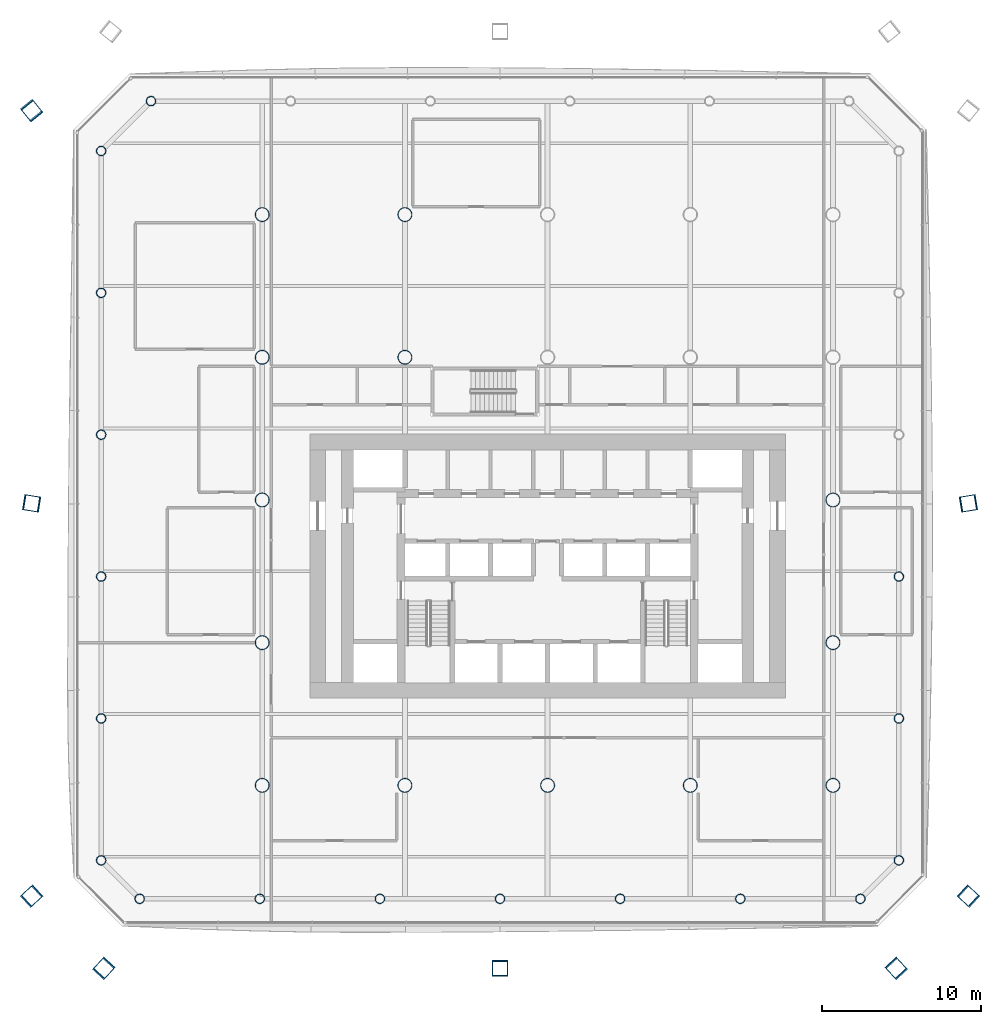
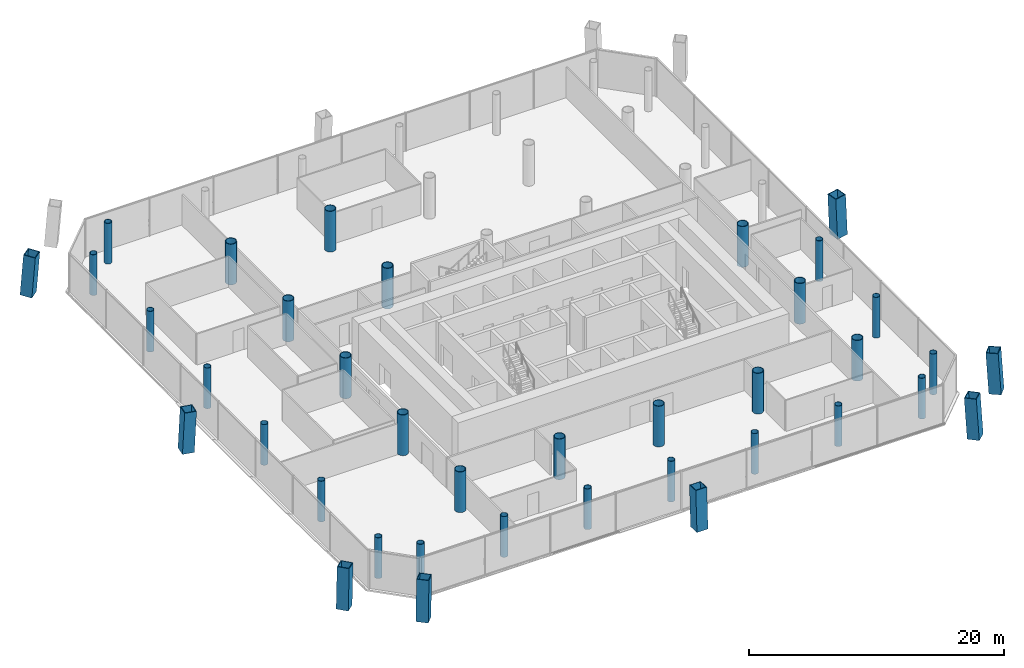
# One storey, part 1 of 21: 38 columns.
"""IFC4 building model written with IfcOpenShell, lengths in metres."""

from ifc_helpers import new_model, si_unit, direction, frame, origin, origin_2d, place, context, subcontext, project, spatial, hollow_rectangle, hollow_circle, extrude, material, material_profile, profile_set, type_object, element, save


model = new_model("IFC4")

# Units and contexts
model_context = context("Model", 3, precision=1e-05, world=origin(), true_north=direction((0.0, 1.0)))
body_context = subcontext(model_context, "Body", "Model", "MODEL_VIEW")
ifc_project = project(units=[si_unit("LENGTHUNIT", "METRE"), si_unit("AREAUNIT", "SQUARE_METRE"), si_unit("VOLUMEUNIT", "CUBIC_METRE"), si_unit("PLANEANGLEUNIT", "RADIAN"), si_unit("MASSUNIT", "GRAM", prefix="KILO")], contexts=[model_context])

# Site, building, storey
site_placement = place(None, origin())
site = spatial("IfcSite", under=ifc_project, at=site_placement, CompositionType="ELEMENT")
building_placement = place(site_placement, origin())
building = spatial("IfcBuilding", under=site, at=building_placement, Name="Tskaro Facet Tower", CompositionType="ELEMENT")
storey_placement = place(building_placement, frame((0.0, 0.0, 38.10009765625)))
storey = spatial("IfcBuildingStorey", under=building, at=storey_placement, Name="L08", CompositionType="ELEMENT", Elevation=38.10009765625)

# Columns
ifc_material_1 = material(Name="Steel S460M", Category="steel")
ifc_material_profile_1 = material_profile(ifc_material_1, hollow_rectangle(XDim=1.0, YDim=1.0, WallThickness=0.06005859375, at=origin_2d()), Name="BOX 1000x1000x60")
ifc_profile_set_1 = profile_set([ifc_material_profile_1], Name="Steel S460M")
column_type_1 = type_object("IfcColumnType", Name="BOX 1000x1000x60 mega column", PredefinedType="COLUMN", material=ifc_profile_set_1)
column_1_placement = place(storey_placement, frame((-28.013916015625, -29.572021484375, 0.0), z_axis=(0.042733391289, 0.046856788695, 0.997987123475), x_axis=(-0.738869281565, 0.673848784787, 0.0)))
element("IfcColumn", 1, at=column_1_placement, inside=storey, type_object=column_type_1, Name="BOX 1000x1000x60 MC01/1", PredefinedType="COLUMN", context=body_context, shape_type="SweptSolid", body=[
    extrude(hollow_rectangle(XDim=1.0, YDim=1.0, WallThickness=0.06005859375, at=origin_2d()), origin(), (0.0, 0.0, 1.0), 3.90771484375),
])
column_2_placement = place(storey_placement, frame((-3.0, -29.572021484375, 0.0), z_axis=(0.0, 0.046899630973, 0.998899606875), x_axis=(-1.0, 0.0, 0.0)))
element("IfcColumn", 2, at=column_2_placement, inside=storey, type_object=column_type_1, Name="BOX 1000x1000x60 MC02/1", PredefinedType="COLUMN", context=body_context, shape_type="SweptSolid", body=[
    extrude(hollow_rectangle(XDim=1.0, YDim=1.0, WallThickness=0.06005859375, at=origin_2d()), origin(), (0.0, 0.0, 1.0), 3.904296875),
])
for number, where, z_axis, x_axis, name in (
    (3, (22.013916015625, -29.572021484375, 0.0), (-0.042733391289, 0.046856788695, 0.997987123475), (-0.738869281565, -0.673848784787, 0.0), "BOX 1000x1000x60 MC03/1"),
    (4, (26.572021484375, -25.013916015625, 0.0), (-0.046856788695, 0.042733391289, 0.997987123475), (-0.673848784787, -0.738869281565, 0.0), "BOX 1000x1000x60 MC04/1"),
):
    element("IfcColumn", number, at=place(storey_placement, frame(where, z_axis=z_axis, x_axis=x_axis)), inside=storey, type_object=column_type_1, Name=name, PredefinedType="COLUMN", context=body_context, shape_type="SweptSolid", body=[
        extrude(hollow_rectangle(XDim=1.0, YDim=1.0, WallThickness=0.06005859375, at=origin_2d()), origin(), (0.0, 0.0, 1.0), 3.90771484375),
    ])
column_3_placement = place(storey_placement, frame((26.572021484375, -0.208984375, 0.0), z_axis=(-0.046898243748, -0.007691311975, 0.998870060845), x_axis=(0.161838042552, -0.986817332632, 0.0)))
element("IfcColumn", 5, at=column_3_placement, inside=storey, type_object=column_type_1, Name="BOX 1000x1000x60 MC05/1", PredefinedType="COLUMN", context=body_context, shape_type="SweptSolid", body=[
    extrude(hollow_rectangle(XDim=1.0, YDim=1.0, WallThickness=0.06005859375, at=origin_2d()), origin(), (0.0, 0.0, 1.0), 3.904296875),
])
column_4_placement = place(storey_placement, frame((-32.572021484375, 24.595947265625, 0.0), z_axis=(0.046820522728, -0.058057448183, 0.997214706752), x_axis=(0.778413039475, 0.62775245119, 0.0)))
element("IfcColumn", 6, at=column_4_placement, inside=storey, type_object=column_type_1, Name="BOX 1000x1000x60 MC10/1", PredefinedType="COLUMN", context=body_context, shape_type="SweptSolid", body=[
    extrude(hollow_rectangle(XDim=1.0, YDim=1.0, WallThickness=0.06005859375, at=origin_2d()), origin(), (0.0, 0.0, 1.0), 3.910888671875),
])
column_5_placement = place(storey_placement, frame((-32.572021484375, -0.208984375, 0.0), z_axis=(0.046898243748, -0.007691311975, 0.998870060845), x_axis=(0.161838042552, 0.986817332632, 0.0)))
element("IfcColumn", 7, at=column_5_placement, inside=storey, type_object=column_type_1, Name="BOX 1000x1000x60 MC11/1", PredefinedType="COLUMN", context=body_context, shape_type="SweptSolid", body=[
    extrude(hollow_rectangle(XDim=1.0, YDim=1.0, WallThickness=0.06005859375, at=origin_2d()), origin(), (0.0, 0.0, 1.0), 3.904296875),
])
column_6_placement = place(storey_placement, frame((-32.572021484375, -25.013916015625, 0.0), z_axis=(0.046856788695, 0.042733391289, 0.997987123475), x_axis=(-0.673848784787, 0.738869281565, 0.0)))
element("IfcColumn", 8, at=column_6_placement, inside=storey, type_object=column_type_1, Name="BOX 1000x1000x60 MC12/1", PredefinedType="COLUMN", context=body_context, shape_type="SweptSolid", body=[
    extrude(hollow_rectangle(XDim=1.0, YDim=1.0, WallThickness=0.06005859375, at=origin_2d()), origin(), (0.0, 0.0, 1.0), 3.90771484375),
])
ifc_material_2 = material(Name="Steel S355J2H", Category="steel")
ifc_material_profile_2 = material_profile(ifc_material_2, hollow_circle(Radius=0.304931640625, WallThickness=0.030029296875, at=origin_2d()), Name="CHS 610x30")
ifc_profile_set_2 = profile_set([ifc_material_profile_2], Name="Steel S355J2H")
column_type_2 = type_object("IfcColumnType", Name="CHS 610x30 ring column", PredefinedType="COLUMN", material=ifc_profile_set_2)
for number, where, z_axis, x_axis, name in (
    (9, (-25.72900390625, -25.156982421875, 0.0), (0.0, 0.0, 1.0), (1.0, 0.0, 0.0), "CHS 610x30 RS-1/1"),
    (10, (-18.153076171875, -25.156982421875, 0.0), (0.0, 0.0, 1.0), (1.0, 0.0, 0.0), "CHS 610x30 RS-2/1"),
    (11, (-10.575927734375, -25.156982421875, 0.0), (0.0, 0.0, 1.0), (1.0, 0.0, 0.0), "CHS 610x30 RS-3/1"),
    (12, (-3.0, -25.156982421875, 0.0), (0.0, 0.0, 1.0), (1.0, 0.0, 0.0), "CHS 610x30 RS-4/1"),
    (13, (4.575927734375, -25.156982421875, 0.0), (0.0, 0.0, 1.0), (1.0, 0.0, 0.0), "CHS 610x30 RS-5/1"),
    (14, (12.153076171875, -25.156982421875, 0.0), (0.0, 0.0, 1.0), (1.0, 0.0, 0.0), "CHS 610x30 RS-6/1"),
    (15, (19.72900390625, -25.156982421875, 0.0), (0.0, 0.0, 1.0), (1.0, 0.0, 0.0), "CHS 610x30 RSE-1/1"),
    (16, (22.156982421875, -22.72900390625, 0.0), (0.0, 0.0, 1.0), (1.0, 0.0, 0.0), "CHS 610x30 RE-1/1"),
    (17, (22.156982421875, -13.781005859375, 0.0), (0.0, 0.0, 1.0), (1.0, 0.0, 0.0), "CHS 610x30 RE-2/1"),
    (18, (22.156982421875, -4.8330078125, 0.0), (0.0, 0.0, 1.0), (1.0, 0.0, 0.0), "CHS 610x30 RE-3/1"),
    (19, (-25.011962890625, 25.156982421875, 0.0), (0.0, 0.0, 1.0), (1.0, 0.0, 0.0), "CHS 610x30 RNW-1/1"),
    (20, (-28.156982421875, 22.011962890625, 0.0), (0.0, 0.0, 1.0), (1.0, 0.0, 0.0), "CHS 610x30 RW-1/1"),
    (21, (-28.156982421875, 13.06396484375, 0.0), (0.0, 0.0, 1.0), (1.0, 0.0, 0.0), "CHS 610x30 RW-2/1"),
    (22, (-28.156982421875, 4.115966796875, 0.0), (0.0, 0.0, 1.0), (1.0, 0.0, 0.0), "CHS 610x30 RW-3/1"),
    (23, (-28.156982421875, -4.8330078125, 0.0), (0.0, 0.0, 1.0), (1.0, 0.0, 0.0), "CHS 610x30 RW-4/1"),
    (24, (-28.156982421875, -13.781005859375, 0.0), (0.0, 0.0, 1.0), (1.0, 0.0, 0.0), "CHS 610x30 RW-5/1"),
    (25, (-28.156982421875, -22.72900390625, 0.0), (0.0, 0.0, 1.0), (1.0, 0.0, 0.0), "CHS 610x30 RSW-1/1"),
):
    element("IfcColumn", number, at=place(storey_placement, frame(where, z_axis=z_axis, x_axis=x_axis)), inside=storey, type_object=column_type_2, Name=name, PredefinedType="COLUMN", context=body_context, shape_type="SweptSolid", body=[
        extrude(hollow_circle(Radius=0.304931640625, WallThickness=0.030029296875, at=origin_2d()), origin(), (0.0, 0.0, 1.0), 3.89990234375),
    ])
ifc_material_profile_3 = material_profile(ifc_material_2, hollow_circle(Radius=0.457275390625, WallThickness=0.050048828125, at=origin_2d()), Name="CHS 914.4x50")
ifc_profile_set_3 = profile_set([ifc_material_profile_3], Name="Steel S355J2H")
column_type_3 = type_object("IfcColumnType", Name="CHS 914.4x50 interior column", PredefinedType="COLUMN", material=ifc_profile_set_3)
for number, where, z_axis, x_axis, name in (
    (26, (-18.0, -18.0, 0.0), (0.0, 0.0, 1.0), (1.0, 0.0, 0.0), "CHS 914.4x50 C2B/1"),
    (27, (-18.0, -9.0, 0.0), (0.0, 0.0, 1.0), (1.0, 0.0, 0.0), "CHS 914.4x50 C2C/1"),
    (28, (-18.0, 0.0, 0.0), (0.0, 0.0, 1.0), (1.0, 0.0, 0.0), "CHS 914.4x50 C2D/1"),
    (29, (-18.0, 9.0, 0.0), (0.0, 0.0, 1.0), (1.0, 0.0, 0.0), "CHS 914.4x50 C2E/1"),
    (30, (-18.0, 18.0, 0.0), (0.0, 0.0, 1.0), (1.0, 0.0, 0.0), "CHS 914.4x50 C2F/1"),
    (31, (-9.0, -18.0, 0.0), (0.0, 0.0, 1.0), (1.0, 0.0, 0.0), "CHS 914.4x50 C3B/1"),
    (32, (-9.0, 9.0, 0.0), (0.0, 0.0, 1.0), (1.0, 0.0, 0.0), "CHS 914.4x50 C3E/1"),
    (33, (-9.0, 18.0, 0.0), (0.0, 0.0, 1.0), (1.0, 0.0, 0.0), "CHS 914.4x50 C3F/1"),
    (34, (0.0, -18.0, 0.0), (0.0, 0.0, 1.0), (1.0, 0.0, 0.0), "CHS 914.4x50 C4B/1"),
    (35, (9.0, -18.0, 0.0), (0.0, 0.0, 1.0), (1.0, 0.0, 0.0), "CHS 914.4x50 C5B/1"),
    (36, (18.0, -18.0, 0.0), (0.0, 0.0, 1.0), (1.0, 0.0, 0.0), "CHS 914.4x50 C6B/1"),
    (37, (18.0, -9.0, 0.0), (0.0, 0.0, 1.0), (1.0, 0.0, 0.0), "CHS 914.4x50 C6C/1"),
    (38, (18.0, 0.0, 0.0), (0.0, 0.0, 1.0), (1.0, 0.0, 0.0), "CHS 914.4x50 C6D/1"),
):
    element("IfcColumn", number, at=place(storey_placement, frame(where, z_axis=z_axis, x_axis=x_axis)), inside=storey, type_object=column_type_3, Name=name, PredefinedType="COLUMN", context=body_context, shape_type="SweptSolid", body=[
        extrude(hollow_circle(Radius=0.457275390625, WallThickness=0.050048828125, at=origin_2d()), origin(), (0.0, 0.0, 1.0), 3.89990234375),
    ])

save(model, "model.ifc")
